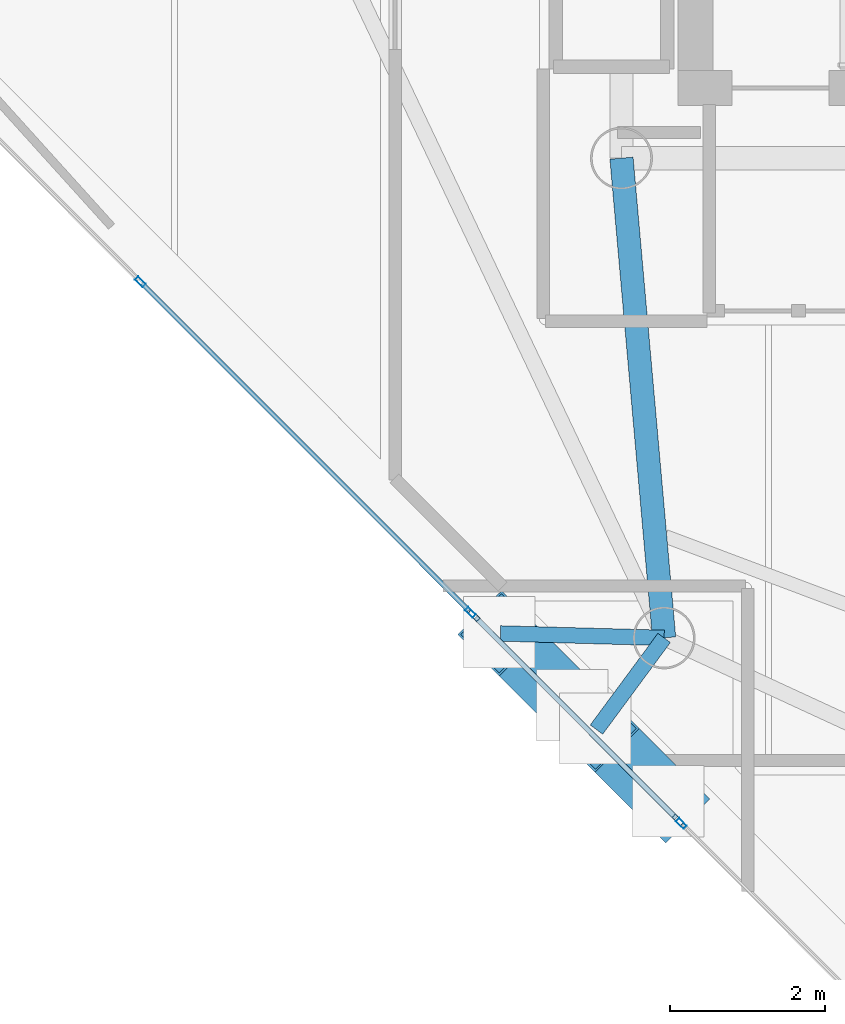
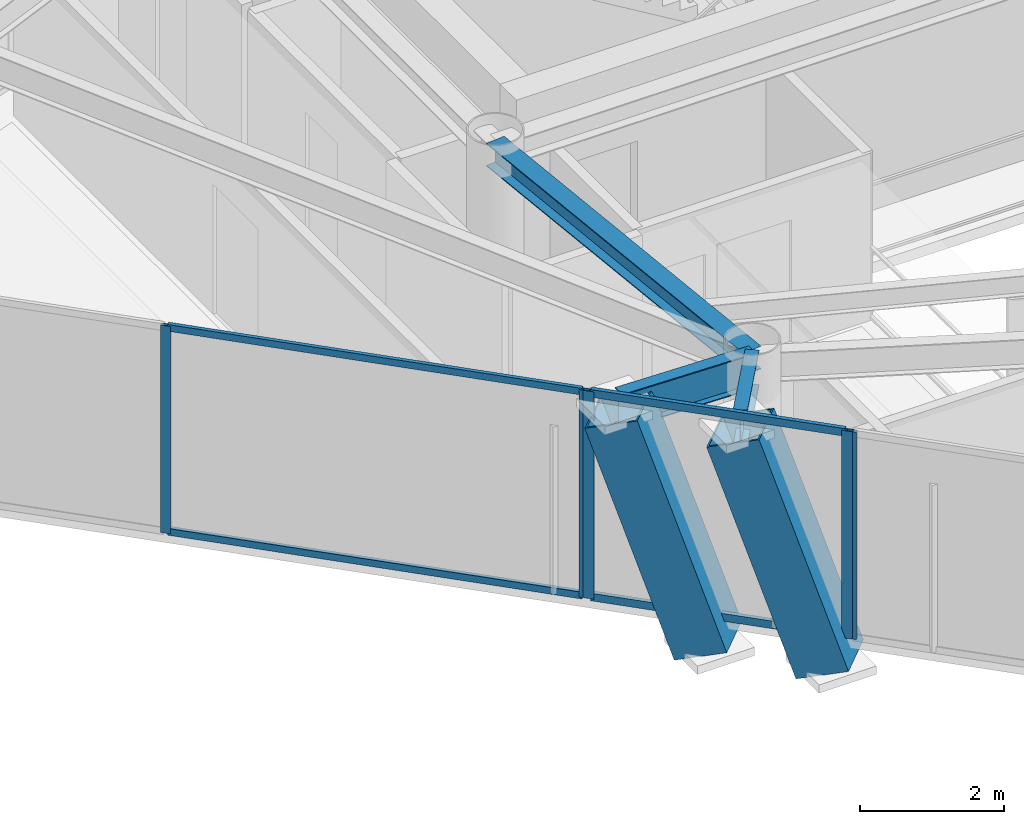
# One storey, part 3 of 19: 11 members, 3 beams, 3 elements without a shape of their own.
"""IFC4 building model written with IfcOpenShell, lengths in metres."""

from ifc_helpers import new_model, si_unit, direction, frame, origin, origin_2d, place, context, subcontext, project, spatial, hollow_rectangle, i_section, extrude, material, layer, layer_set, material_profile, profile_set, type_object, element, aggregate, save


model = new_model("IFC4")

# Units and contexts
model_context = context("Model", 3, precision=1e-05, world=origin(), true_north=direction((0.0, 1.0)))
body_context = subcontext(model_context, "Body", "Model", "MODEL_VIEW")
ifc_project = project(units=[si_unit("LENGTHUNIT", "METRE"), si_unit("AREAUNIT", "SQUARE_METRE"), si_unit("VOLUMEUNIT", "CUBIC_METRE"), si_unit("PLANEANGLEUNIT", "RADIAN"), si_unit("MASSUNIT", "GRAM", prefix="KILO")], contexts=[model_context])

# Site, building, storey
site_placement = place(None, origin())
site = spatial("IfcSite", under=ifc_project, at=site_placement, CompositionType="ELEMENT")
building_placement = place(site_placement, origin())
building = spatial("IfcBuilding", under=site, at=building_placement, Name="Qianvela Tower", CompositionType="ELEMENT")
storey_placement = place(building_placement, frame((0.0, 0.0, 340.699951171875)))
storey = spatial("IfcBuildingStorey", under=building, at=storey_placement, Name="L88", CompositionType="ELEMENT", Elevation=340.699951171875)

# Beams
ifc_material_1 = material(Name="Steel Q355B", Category="steel")
ifc_material_profile_1 = material_profile(ifc_material_1, i_section(OverallWidth=0.300048828125, OverallDepth=0.389892578125, WebThickness=0.010009765625, FlangeThickness=0.01611328125, at=origin_2d()), Name="HM390x300x10x16")
ifc_profile_set_1 = profile_set([ifc_material_profile_1], Name="Steel Q355B")
beam_type_1 = type_object("IfcBeamType", Name="BM-HM390-COLL", PredefinedType="BEAM", material=ifc_profile_set_1)
beam_1_placement = place(storey_placement, frame((28.60009765625, 23.85009765625, 3.322998046875), z_axis=(0.088501665624, -0.996076028816, 0.0), x_axis=(0.996076028816, 0.088501665624, 0.0)))
element("IfcBeam", 1, at=beam_1_placement, inside=storey, type_object=beam_type_1, Name="L88 Radial Primary Floor Girder 4", PredefinedType="BEAM", context=body_context, shape_type="SweptSolid", body=[
    extrude(i_section(OverallWidth=0.300048828125, OverallDepth=0.389892578125, WebThickness=0.010009765625, FlangeThickness=0.01611328125, at=origin_2d()), origin(), (0.0, 0.0, 1.0), 6.21240234375),
])
ifc_material_2 = material(Name="Steel Q355B", Category="steel")
ifc_material_profile_2 = material_profile(ifc_material_2, i_section(OverallWidth=0.199951171875, OverallDepth=0.60009765625, WebThickness=0.010986328125, FlangeThickness=0.01708984375, at=origin_2d()), Name="HN600x200x11x17")
ifc_profile_set_2 = profile_set([ifc_material_profile_2], Name="Steel Q355B")
beam_type_2 = type_object("IfcBeamType", Name="BM-HN600-GIRD", PredefinedType="BEAM", material=ifc_profile_set_2)
beam_2_placement = place(storey_placement, frame((29.14990234375, 17.662109375, 3.218017578125), z_axis=(-0.999630993574, 0.027163885695, 0.0), x_axis=(-0.027163885695, -0.999630993574, 0.0)))
element("IfcBeam", 2, at=beam_2_placement, inside=storey, type_object=beam_type_2, Name="L88 Mega-Brace Column Tie Bracket F2-1", PredefinedType="BEAM", context=body_context, shape_type="SweptSolid", body=[
    extrude(i_section(OverallWidth=0.199951171875, OverallDepth=0.60009765625, WebThickness=0.010986328125, FlangeThickness=0.01708984375, at=origin_2d()), origin(), (0.0, 0.0, 1.0), 2.112060546875),
])
beam_3_placement = place(storey_placement, frame((29.14990234375, 17.662109375, 3.218017578125), z_axis=(-0.593737101106, -0.804659092268, 0.0), x_axis=(0.804659092268, -0.593737101106, 0.0)))
element("IfcBeam", 3, at=beam_3_placement, inside=storey, type_object=beam_type_2, Name="L88 Mega-Brace Column Tie Bracket F2-2", PredefinedType="BEAM", context=body_context, shape_type="SweptSolid", body=[
    extrude(i_section(OverallWidth=0.199951171875, OverallDepth=0.60009765625, WebThickness=0.010986328125, FlangeThickness=0.01708984375, at=origin_2d()), origin(), (0.0, 0.0, 1.0), 1.469970703125),
])

# Curtain wall, members
ifc_material_3 = material(Name="Anodised Architectural Aluminium and Insulated Spandrel Panel", Category="aluminium")
ifc_layer_1 = layer(ifc_material_3, 0.179931640625)
ifc_layer_set_1 = layer_set([ifc_layer_1], Name="Anodised Architectural Aluminium and Insulated Spandrel Panel")
curtain_wall_type_1 = type_object("IfcCurtainWallType", Name="CW-BRACEBAY", PredefinedType="USERDEFINED", material=ifc_layer_set_1)
curtain_wall_1_placement = place(storey_placement, origin())
curtain_wall_1 = element("IfcCurtainWall", 4, at=curtain_wall_1_placement, inside=storey, type_object=curtain_wall_type_1, Name="L88 CW-BRACEBAY Curtain Wall 04B", ObjectType="CURTAIN_WALL_SYSTEM", PredefinedType="USERDEFINED")
ifc_material_4 = material(Name="Anodised Architectural Aluminium 6063-T6", Category="aluminium")
ifc_material_profile_3 = material_profile(ifc_material_4, hollow_rectangle(XDim=0.06494140625, YDim=0.159912109375, WallThickness=0.0048828125, at=origin_2d()), Name="ALU-MULL-65x160")
ifc_profile_set_3 = profile_set([ifc_material_profile_3], Name="Anodised Architectural Aluminium 6063-T6")
member_type_1 = type_object("IfcMemberType", Name="CW-BRACEBAY-MULL", PredefinedType="MULLION", material=ifc_profile_set_3)
member_1_placement = place(storey_placement, frame((26.6962890625, 17.948974609375, 0.0), z_axis=(0.0, 0.0, 1.0), x_axis=(0.707594736458, 0.706618488958, 0.0)))
member_1 = element("IfcMember", 5, at=member_1_placement, type_object=member_type_1, Name="CW-9 mullion 1", PredefinedType="MULLION", context=body_context, shape_type="SweptSolid", body=[
    extrude(hollow_rectangle(XDim=0.06494140625, YDim=0.159912109375, WallThickness=0.0048828125, at=origin_2d()), origin(), (0.0, 0.0, 1.0), 3.52001953125),
])
member_2_placement = place(storey_placement, frame((29.328369140625, 15.313232421875, 0.0), z_axis=(0.0, 0.0, 1.0), x_axis=(0.707594736458, 0.706618488958, 0.0)))
member_2 = element("IfcMember", 6, at=member_2_placement, type_object=member_type_1, Name="CW-9 mullion 2", PredefinedType="MULLION", context=body_context, shape_type="SweptSolid", body=[
    extrude(hollow_rectangle(XDim=0.06494140625, YDim=0.159912109375, WallThickness=0.0048828125, at=origin_2d()), origin(), (0.0, 0.0, 1.0), 3.52001953125),
])
ifc_material_5 = material(Name="Anodised Architectural Aluminium 6063-T6", Category="aluminium")
ifc_material_profile_4 = material_profile(ifc_material_5, hollow_rectangle(XDim=0.06494140625, YDim=0.1298828125, WallThickness=0.00439453125, at=origin_2d()), Name="ALU-TRAN-65x130")
ifc_profile_set_4 = profile_set([ifc_material_profile_4], Name="Anodised Architectural Aluminium 6063-T6")
member_type_2 = type_object("IfcMemberType", Name="CW-BRACEBAY-TRAN", PredefinedType="USERDEFINED", material=ifc_profile_set_4)
member_3_placement = place(storey_placement, frame((26.71923828125, 17.926025390625, 0.032470703125), z_axis=(0.706606316528, -0.707606891884, 0.0), x_axis=(0.707606891884, 0.706606316528, 0.0)))
member_3 = element("IfcMember", 7, at=member_3_placement, type_object=member_type_2, Name="CW-9 transom 1.1", ObjectType="TRANSOM", PredefinedType="USERDEFINED", context=body_context, shape_type="SweptSolid", body=[
    extrude(hollow_rectangle(XDim=0.06494140625, YDim=0.1298828125, WallThickness=0.00439453125, at=origin_2d()), origin(), (0.0, 0.0, 1.0), 3.659912109375),
])
member_4_placement = place(storey_placement, frame((26.71923828125, 17.926025390625, 3.487548828125), z_axis=(0.706606316528, -0.707606891884, 0.0), x_axis=(0.707606891884, 0.706606316528, 0.0)))
member_4 = element("IfcMember", 8, at=member_4_placement, type_object=member_type_2, Name="CW-9 transom 1.2", ObjectType="TRANSOM", PredefinedType="USERDEFINED", context=body_context, shape_type="SweptSolid", body=[
    extrude(hollow_rectangle(XDim=0.06494140625, YDim=0.1298828125, WallThickness=0.00439453125, at=origin_2d()), origin(), (0.0, 0.0, 1.0), 3.659912109375),
])
aggregate(curtain_wall_1, [member_1, member_2, member_3, member_4])

ifc_material_6 = material(Name="Anodised Architectural Aluminium and Low-E Glass", Category="aluminium")
ifc_layer_2 = layer(ifc_material_6, 0.14990234375)
ifc_layer_set_2 = layer_set([ifc_layer_2], Name="Anodised Architectural Aluminium and Low-E Glass")
curtain_wall_type_2 = type_object("IfcCurtainWallType", Name="CW-COLIV-Z78", PredefinedType="USERDEFINED", material=ifc_layer_set_2)
curtain_wall_2_placement = place(storey_placement, origin())
curtain_wall_2 = element("IfcCurtainWall", 9, at=curtain_wall_2_placement, inside=storey, type_object=curtain_wall_type_2, Name="L88 CW-COLIV-Z78 Curtain Wall 04A", ObjectType="CURTAIN_WALL_SYSTEM", PredefinedType="USERDEFINED")
ifc_material_7 = material(Name="Anodised Architectural Aluminium 6063-T6", Category="aluminium")
ifc_material_profile_5 = material_profile(ifc_material_7, hollow_rectangle(XDim=0.06005859375, YDim=0.139892578125, WallThickness=0.00439453125, at=origin_2d()), Name="ALU-MULL-60x140")
ifc_profile_set_5 = profile_set([ifc_material_profile_5], Name="Anodised Architectural Aluminium 6063-T6")
member_type_3 = type_object("IfcMemberType", Name="CW-COLIV-Z78-MULL", PredefinedType="MULLION", material=ifc_profile_set_5)
member_5_placement = place(storey_placement, frame((22.394775390625, 22.256591796875, 0.0), z_axis=(0.0, 0.0, 1.0), x_axis=(0.707597940603, 0.706615280371, 0.0)))
member_5 = element("IfcMember", 10, at=member_5_placement, type_object=member_type_3, Name="CW-6 mullion 2", PredefinedType="MULLION", context=body_context, shape_type="SweptSolid", body=[
    extrude(hollow_rectangle(XDim=0.06005859375, YDim=0.139892578125, WallThickness=0.00439453125, at=origin_2d()), origin(), (0.0, 0.0, 1.0), 3.52001953125),
])
member_6_placement = place(storey_placement, frame((26.652099609375, 17.9931640625, 0.0), z_axis=(0.0, 0.0, 1.0), x_axis=(0.707597940603, 0.706615280371, 0.0)))
member_6 = element("IfcMember", 11, at=member_6_placement, type_object=member_type_3, Name="CW-6 mullion 3", PredefinedType="MULLION", context=body_context, shape_type="SweptSolid", body=[
    extrude(hollow_rectangle(XDim=0.06005859375, YDim=0.139892578125, WallThickness=0.00439453125, at=origin_2d()), origin(), (0.0, 0.0, 1.0), 3.52001953125),
])

# Curtain wall, member
curtain_wall_3_placement = place(storey_placement, origin())
curtain_wall_3 = element("IfcCurtainWall", 12, at=curtain_wall_3_placement, inside=storey, type_object=curtain_wall_type_2, Name="L88 CW-COLIV-Z78 Curtain Wall 04C", ObjectType="CURTAIN_WALL_SYSTEM", PredefinedType="USERDEFINED")
member_7_placement = place(storey_placement, frame((29.37255859375, 15.26904296875, 0.0), z_axis=(0.0, 0.0, 1.0), x_axis=(0.707600110845, 0.706613107104, 0.0)))
member_7 = element("IfcMember", 13, at=member_7_placement, type_object=member_type_3, Name="CW-6 mullion 1", PredefinedType="MULLION", context=body_context, shape_type="SweptSolid", body=[
    extrude(hollow_rectangle(XDim=0.06005859375, YDim=0.139892578125, WallThickness=0.00439453125, at=origin_2d()), origin(), (0.0, 0.0, 1.0), 3.52001953125),
])
aggregate(curtain_wall_3, [member_7])

# Member
ifc_material_8 = material(Name="Anodised Architectural Aluminium 6063-T6", Category="aluminium")
ifc_material_profile_6 = material_profile(ifc_material_8, hollow_rectangle(XDim=0.06005859375, YDim=0.114990234375, WallThickness=0.00390625, at=origin_2d()), Name="ALU-TRAN-60x115")
ifc_profile_set_6 = profile_set([ifc_material_profile_6], Name="Anodised Architectural Aluminium 6063-T6")
member_type_4 = type_object("IfcMemberType", Name="CW-COLIV-Z78-TRAN", PredefinedType="USERDEFINED", material=ifc_profile_set_6)
member_8_placement = place(storey_placement, frame((22.416015625, 22.2353515625, 0.030029296875), z_axis=(0.706594985973, -0.707618206237, 0.0), x_axis=(0.707618206237, 0.706594985973, 0.0)))
member_8 = element("IfcMember", 14, at=member_8_placement, type_object=member_type_4, Name="CW-6 transom 2.1", ObjectType="TRANSOM", PredefinedType="USERDEFINED", context=body_context, shape_type="SweptSolid", body=[
    extrude(hollow_rectangle(XDim=0.06005859375, YDim=0.114990234375, WallThickness=0.00390625, at=origin_2d()), origin(), (0.0, 0.0, 1.0), 5.965087890625),
])

member_9_placement = place(storey_placement, frame((22.416015625, 22.2353515625, 3.489990234375), z_axis=(0.706594985973, -0.707618206237, 0.0), x_axis=(0.707618206237, 0.706594985973, 0.0)))
member_9 = element("IfcMember", 15, at=member_9_placement, type_object=member_type_4, Name="CW-6 transom 2.2", ObjectType="TRANSOM", PredefinedType="USERDEFINED", context=body_context, shape_type="SweptSolid", body=[
    extrude(hollow_rectangle(XDim=0.06005859375, YDim=0.114990234375, WallThickness=0.00390625, at=origin_2d()), origin(), (0.0, 0.0, 1.0), 5.965087890625),
])

aggregate(curtain_wall_2, [member_5, member_6, member_8, member_9])

# Members
ifc_material_9 = material(Name="Steel Q420GJC", Category="steel")
ifc_material_profile_7 = material_profile(ifc_material_9, hollow_rectangle(XDim=0.800048828125, YDim=0.800048828125, WallThickness=0.028076171875, at=origin_2d()), Name="MBOX-800x800x28")
ifc_profile_set_7 = profile_set([ifc_material_profile_7], Name="Steel Q420GJC")
member_type_5 = type_object("IfcMemberType", Name="MBR-MBRACE-800", PredefinedType="BRACE", material=ifc_profile_set_7)
member_10_placement = place(storey_placement, frame((27.9482421875, 16.80859375, -0.48193359375), z_axis=(-0.232205894906, 0.232517497019, 0.944466005715), x_axis=(-0.707580744953, -0.706632499516, 0.0)))
element("IfcMember", 16, at=member_10_placement, inside=storey, type_object=member_type_5, Name="L88 Tier 14 Exterior Mega-Brace F2A", PredefinedType="BRACE", context=body_context, shape_type="SweptSolid", body=[
    extrude(hollow_rectangle(XDim=0.800048828125, YDim=0.800048828125, WallThickness=0.028076171875, at=origin_2d()), origin(), (0.0, 0.0, 1.0), 3.91748046875),
])
member_11_placement = place(storey_placement, frame((29.186279296875, 15.568603515625, -0.48193359375), z_axis=(-0.232091332432, 0.232465271206, 0.94450702014), x_axis=(-0.7076757283, -0.706537375922, 0.0)))
element("IfcMember", 17, at=member_11_placement, inside=storey, type_object=member_type_5, Name="L88 Tier 14 Exterior Mega-Brace F2B", PredefinedType="BRACE", context=body_context, shape_type="SweptSolid", body=[
    extrude(hollow_rectangle(XDim=0.800048828125, YDim=0.800048828125, WallThickness=0.028076171875, at=origin_2d()), origin(), (0.0, 0.0, 1.0), 3.917236328125),
])

save(model, "model.ifc")
